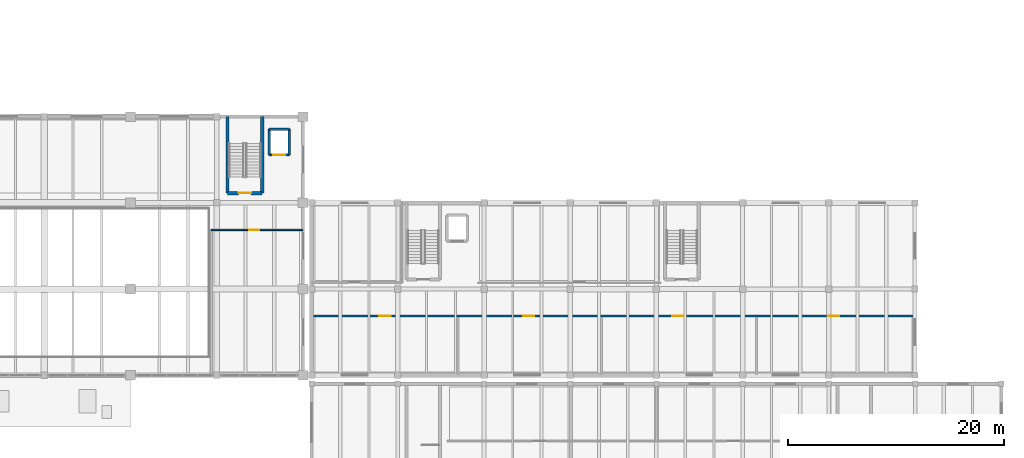
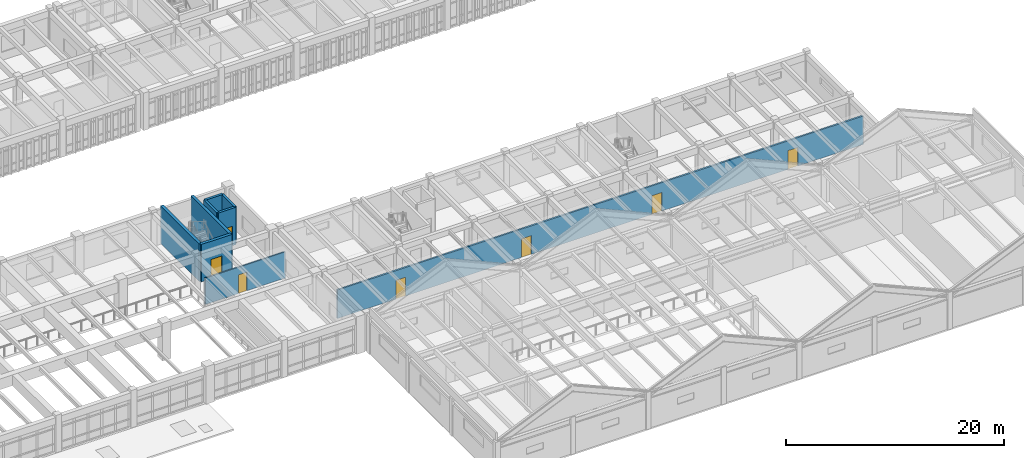
# One storey, part 45 of 67: 9 walls, 7 doors, 7 openings.
"""IFC4 building model written with IfcOpenShell, lengths in metres."""

from ifc_helpers import new_model, si_unit, direction, frame, frame_2d, origin, place, context, subcontext, project, spatial, rectangle, extrude, material, layer, layer_set, type_object, element, fill, save


model = new_model("IFC4")

# Units and contexts
model_context = context("Model", 3, precision=1e-05, world=origin(), true_north=direction((0.0, 1.0)))
body_context = subcontext(model_context, "Body", "Model", "MODEL_VIEW")
ifc_project = project(units=[si_unit("LENGTHUNIT", "METRE"), si_unit("AREAUNIT", "SQUARE_METRE"), si_unit("VOLUMEUNIT", "CUBIC_METRE"), si_unit("PLANEANGLEUNIT", "RADIAN"), si_unit("MASSUNIT", "GRAM", prefix="KILO")], contexts=[model_context])

# Site, building, storey
site_placement = place(None, origin())
site = spatial("IfcSite", under=ifc_project, at=site_placement, CompositionType="ELEMENT")
building_placement = place(site_placement, origin())
building = spatial("IfcBuilding", under=site, at=building_placement, Name="Tlaxcora Railside Police Headquarters", CompositionType="ELEMENT")
storey_placement = place(building_placement, frame((0.0, 0.0, 4.800048828125)))
storey = spatial("IfcBuildingStorey", under=building, at=storey_placement, Name="L01", CompositionType="ELEMENT", Elevation=4.800048828125)

# Wall, openings, doors
ifc_material_1 = material(Name="Gypsum acoustic partition board")
ifc_layer_1 = layer(ifc_material_1, 0.175048828125, Name="Gypsum acoustic partition board")
ifc_layer_set_1 = layer_set([ifc_layer_1], Name="Gypsum acoustic partition board")
wall_type_1 = type_object("IfcWallType", Name="Interior Partition Wall IW-22", PredefinedType="PARTITIONING", material=ifc_layer_set_1)
wall_1_placement = place(storey_placement, frame((102.8798828125, 41.5, 0.0), z_axis=(0.0, 0.0, 1.0), x_axis=(1.0, 0.0, 0.0)))
wall_1 = element("IfcWall", 1, at=wall_1_placement, inside=storey, type_object=wall_type_1, Name="V7 L01 interior partition 95", PredefinedType="PARTITIONING", context=body_context, shape_type="SweptSolid", body=[
    extrude(rectangle(XDim=55.840087890625, YDim=0.175048828125, at=frame_2d((27.919921875, 0.0))), origin(), (0.0, 0.0, 1.0), 3.195068359375),
])
opening_1_placement = place(wall_1_placement, frame((6.2099609375, 0.0, 0.0)))
opening_1 = element("IfcOpeningElement", 2, at=opening_1_placement, cuts=wall_1, Name="Opening D-L01-134", PredefinedType="OPENING", context=body_context, shape_type="SweptSolid", body=[
    extrude(rectangle(XDim=1.050048828125, YDim=2.10009765625, at=frame_2d((0.52490234375, 1.050048828125))), frame((0.0, 0.09765625, 0.0), z_axis=(0.0, -1.0, 0.0), x_axis=(1.0, 0.0, 0.0)), (0.0, 0.0, 1.0), 0.195068359375),
])
opening_2_placement = place(wall_1_placement, frame((19.5400390625, 0.0, 0.0)))
opening_2 = element("IfcOpeningElement", 3, at=opening_2_placement, cuts=wall_1, Name="Opening D-L01-135", PredefinedType="OPENING", context=body_context, shape_type="SweptSolid", body=[
    extrude(rectangle(XDim=1.050048828125, YDim=2.10009765625, at=frame_2d((0.52490234375, 1.050048828125))), frame((0.0, 0.09765625, 0.0), z_axis=(0.0, -1.0, 0.0), x_axis=(1.0, 0.0, 0.0)), (0.0, 0.0, 1.0), 0.195068359375),
])
opening_3_placement = place(wall_1_placement, frame((33.389892578125, 0.0, 0.0)))
opening_3 = element("IfcOpeningElement", 4, at=opening_3_placement, cuts=wall_1, Name="Opening D-L01-136", PredefinedType="OPENING", context=body_context, shape_type="SweptSolid", body=[
    extrude(rectangle(XDim=1.050048828125, YDim=2.10009765625, at=frame_2d((0.52490234375, 1.050048828125))), frame((0.0, 0.09765625, 0.0), z_axis=(0.0, -1.0, 0.0), x_axis=(1.0, 0.0, 0.0)), (0.0, 0.0, 1.0), 0.195068359375),
])
opening_4_placement = place(wall_1_placement, frame((47.840087890625, 0.0, 0.0)))
opening_4 = element("IfcOpeningElement", 5, at=opening_4_placement, cuts=wall_1, Name="Opening D-L01-137", PredefinedType="OPENING", context=body_context, shape_type="SweptSolid", body=[
    extrude(rectangle(XDim=1.050048828125, YDim=2.10009765625, at=frame_2d((0.52490234375, 1.050048828125))), frame((0.0, 0.09765625, 0.0), z_axis=(0.0, -1.0, 0.0), x_axis=(1.0, 0.0, 0.0)), (0.0, 0.0, 1.0), 0.195068359375),
])
ifc_material_2 = material(Name="Steel ASTM A992 Grade 50", Category="steel")
door_type_1 = type_object("IfcDoorType", Name="Swing or Sliding Personnel Door ID-52", OperationType="NOTDEFINED", PredefinedType="DOOR", material=ifc_material_2)
door_1_placement = place(opening_1_placement, origin())
door_1 = element("IfcDoor", 6, at=door_1_placement, inside=storey, type_object=door_type_1, Name="V7 L01 door D-L01-134", OperationType="SINGLE_SWING_LEFT", OverallHeight=2.10009765625, OverallWidth=1.050048828125, PredefinedType="DOOR", context=body_context, shape_type="SweptSolid", body=[
    extrude(rectangle(XDim=1.050048828125, YDim=2.10009765625, at=frame_2d((0.52490234375, 1.050048828125))), frame((0.0, 0.02490234375, 0.0), z_axis=(0.0, -1.0, 0.0), x_axis=(1.0, 0.0, 0.0)), (0.0, 0.0, 1.0), 0.050048828125),
])
fill(opening_1, door_1)
door_2_placement = place(opening_2_placement, origin())
door_2 = element("IfcDoor", 7, at=door_2_placement, inside=storey, type_object=door_type_1, Name="V7 L01 door D-L01-135", OperationType="SINGLE_SWING_RIGHT", OverallHeight=2.10009765625, OverallWidth=1.050048828125, PredefinedType="DOOR", context=body_context, shape_type="SweptSolid", body=[
    extrude(rectangle(XDim=1.050048828125, YDim=2.10009765625, at=frame_2d((0.52490234375, 1.050048828125))), frame((0.0, 0.02490234375, 0.0), z_axis=(0.0, -1.0, 0.0), x_axis=(1.0, 0.0, 0.0)), (0.0, 0.0, 1.0), 0.050048828125),
])
fill(opening_2, door_2)
door_3_placement = place(opening_3_placement, origin())
door_3 = element("IfcDoor", 8, at=door_3_placement, inside=storey, type_object=door_type_1, Name="V7 L01 door D-L01-136", OperationType="SINGLE_SWING_LEFT", OverallHeight=2.10009765625, OverallWidth=1.050048828125, PredefinedType="DOOR", context=body_context, shape_type="SweptSolid", body=[
    extrude(rectangle(XDim=1.050048828125, YDim=2.10009765625, at=frame_2d((0.52490234375, 1.050048828125))), frame((0.0, 0.02490234375, 0.0), z_axis=(0.0, -1.0, 0.0), x_axis=(1.0, 0.0, 0.0)), (0.0, 0.0, 1.0), 0.050048828125),
])
fill(opening_3, door_3)
door_4_placement = place(opening_4_placement, origin())
door_4 = element("IfcDoor", 9, at=door_4_placement, inside=storey, type_object=door_type_1, Name="V7 L01 door D-L01-137", OperationType="SINGLE_SWING_RIGHT", OverallHeight=2.10009765625, OverallWidth=1.050048828125, PredefinedType="DOOR", context=body_context, shape_type="SweptSolid", body=[
    extrude(rectangle(XDim=1.050048828125, YDim=2.10009765625, at=frame_2d((0.52490234375, 1.050048828125))), frame((0.0, 0.02490234375, 0.0), z_axis=(0.0, -1.0, 0.0), x_axis=(1.0, 0.0, 0.0)), (0.0, 0.0, 1.0), 0.050048828125),
])
fill(opening_4, door_4)

# Wall, opening, door
ifc_layer_2 = layer(ifc_material_1, 0.139892578125, Name="Gypsum acoustic partition board")
ifc_layer_set_2 = layer_set([ifc_layer_2], Name="Gypsum acoustic partition board")
wall_type_2 = type_object("IfcWallType", Name="Interior Partition Wall IW-86", PredefinedType="PARTITIONING", material=ifc_layer_set_2)
wall_2_placement = place(storey_placement, frame((93.5, 49.5, 0.0), z_axis=(0.0, 0.0, 1.0), x_axis=(1.0, 0.0, 0.0)))
wall_2 = element("IfcWall", 10, at=wall_2_placement, inside=storey, type_object=wall_type_2, Name="V1 L01 interior partition 85", PredefinedType="PARTITIONING", context=body_context, shape_type="SweptSolid", body=[
    extrude(rectangle(XDim=8.5, YDim=0.139892578125, at=frame_2d((4.25, 0.0))), origin(), (0.0, 0.0, 1.0), 2.945068359375),
])
opening_5_placement = place(wall_2_placement, frame((3.5, 0.0, 0.0)))
opening_5 = element("IfcOpeningElement", 11, at=opening_5_placement, cuts=wall_2, Name="Opening D-L01-128", PredefinedType="OPENING", context=body_context, shape_type="SweptSolid", body=[
    extrude(rectangle(XDim=0.919921875, YDim=2.10009765625, at=frame_2d((0.4599609375, 1.050048828125))), frame((0.0, 0.080078125, 0.0), z_axis=(0.0, -1.0, 0.0), x_axis=(1.0, 0.0, 0.0)), (0.0, 0.0, 1.0), 0.159912109375),
])
door_type_2 = type_object("IfcDoorType", Name="Swing or Sliding Personnel Door ID-49", OperationType="NOTDEFINED", PredefinedType="DOOR", material=ifc_material_2)
door_5_placement = place(opening_5_placement, origin())
door_5 = element("IfcDoor", 12, at=door_5_placement, inside=storey, type_object=door_type_2, Name="V1 L01 door D-L01-128", OperationType="SINGLE_SWING_LEFT", OverallHeight=2.10009765625, OverallWidth=0.919921875, PredefinedType="DOOR", context=body_context, shape_type="SweptSolid", body=[
    extrude(rectangle(XDim=0.919921875, YDim=2.10009765625, at=frame_2d((0.4599609375, 1.050048828125))), frame((0.0, 0.02490234375, 0.0), z_axis=(0.0, -1.0, 0.0), x_axis=(1.0, 0.0, 0.0)), (0.0, 0.0, 1.0), 0.050048828125),
])
fill(opening_5, door_5)

ifc_material_3 = material(Name="Concrete C40/50", Category="concrete")
ifc_layer_3 = layer(ifc_material_3, 0.25, Name="Concrete C40/50")
ifc_layer_set_3 = layer_set([ifc_layer_3], Name="Concrete C40/50")
wall_type_3 = type_object("IfcWallType", Name="Shear Core Wall IW-13", PredefinedType="SHEAR", material=ifc_layer_set_3)
wall_3_placement = place(storey_placement, frame((98.860107421875, 56.4599609375, 0.0), z_axis=(0.0, 0.0, 1.0), x_axis=(1.0, 0.0, 0.0)))
wall_3 = element("IfcWall", 13, at=wall_3_placement, inside=storey, type_object=wall_type_3, Name="Lift PL-05 L01 shaft wall S", PredefinedType="SHEAR", context=body_context, shape_type="SweptSolid", body=[
    extrude(rectangle(XDim=1.8798828125, YDim=0.25, at=frame_2d((0.93994140625, 0.0))), origin(), (0.0, 0.0, 1.0), 4.199951171875),
])
opening_6_placement = place(wall_3_placement, frame((0.389892578125, 0.0, 0.0)))
opening_6 = element("IfcOpeningElement", 14, at=opening_6_placement, cuts=wall_3, Name="Opening LD-PL-05-L01", PredefinedType="OPENING", context=body_context, shape_type="SweptSolid", body=[
    extrude(rectangle(XDim=1.10009765625, YDim=2.199951171875, at=frame_2d((0.550048828125, 1.10009765625))), frame((0.0, 0.135009765625, 0.0), z_axis=(0.0, -1.0, 0.0), x_axis=(1.0, 0.0, 0.0)), (0.0, 0.0, 1.0), 0.27001953125),
])
door_type_3 = type_object("IfcDoorType", Name="Swing or Sliding Personnel Door ID-15", OperationType="NOTDEFINED", PredefinedType="DOOR", material=ifc_material_2)
door_6_placement = place(opening_6_placement, origin())
door_6 = element("IfcDoor", 15, at=door_6_placement, inside=storey, type_object=door_type_3, Name="Lift PL-05 L01 sliding landing door", OperationType="DOUBLE_DOOR_SLIDING", OverallHeight=2.199951171875, OverallWidth=1.10009765625, PredefinedType="DOOR", context=body_context, shape_type="SweptSolid", body=[
    extrude(rectangle(XDim=1.10009765625, YDim=2.199951171875, at=frame_2d((0.550048828125, 1.10009765625))), frame((0.0, 0.02490234375, 0.0), z_axis=(0.0, -1.0, 0.0), x_axis=(1.0, 0.0, 0.0)), (0.0, 0.0, 1.0), 0.050048828125),
])
fill(opening_6, door_6)

# Walls
wall_4_placement = place(storey_placement, frame((100.739990234375, 56.4599609375, 0.0), z_axis=(0.0, 0.0, 1.0), x_axis=(0.0, 1.0, 0.0)))
element("IfcWall", 16, at=wall_4_placement, inside=storey, type_object=wall_type_3, Name="Lift PL-05 L01 shaft wall E", PredefinedType="SHEAR", context=body_context, shape_type="SweptSolid", body=[
    extrude(rectangle(XDim=2.380126953125, YDim=0.25, at=frame_2d((1.18994140625, 0.0))), origin(), (0.0, 0.0, 1.0), 4.199951171875),
])
wall_5_placement = place(storey_placement, frame((100.739990234375, 58.840087890625, 0.0), z_axis=(0.0, 0.0, 1.0), x_axis=(-1.0, 0.0, 0.0)))
element("IfcWall", 17, at=wall_5_placement, inside=storey, type_object=wall_type_3, Name="Lift PL-05 L01 shaft wall N", PredefinedType="SHEAR", context=body_context, shape_type="SweptSolid", body=[
    extrude(rectangle(XDim=1.8798828125, YDim=0.25, at=frame_2d((0.93994140625, 0.0))), origin(), (0.0, 0.0, 1.0), 4.199951171875),
])
wall_6_placement = place(storey_placement, frame((98.860107421875, 58.840087890625, 0.0), z_axis=(0.0, 0.0, 1.0), x_axis=(0.0, -1.0, 0.0)))
element("IfcWall", 18, at=wall_6_placement, inside=storey, type_object=wall_type_3, Name="Lift PL-05 L01 shaft wall W", PredefinedType="SHEAR", context=body_context, shape_type="SweptSolid", body=[
    extrude(rectangle(XDim=2.380126953125, YDim=0.25, at=frame_2d((1.18994140625, 0.0))), origin(), (0.0, 0.0, 1.0), 4.199951171875),
])

# Wall, opening, door
ifc_layer_4 = layer(ifc_material_3, 0.300048828125, Name="Concrete C40/50")
ifc_layer_set_4 = layer_set([ifc_layer_4], Name="Concrete C40/50")
wall_type_4 = type_object("IfcWallType", Name="Shear Core Wall IW-28", PredefinedType="SHEAR", material=ifc_layer_set_4)
wall_7_placement = place(storey_placement, frame((95.0, 52.89990234375, 0.0), z_axis=(0.0, 0.0, 1.0), x_axis=(1.0, 0.0, 0.0)))
wall_7 = element("IfcWall", 19, at=wall_7_placement, inside=storey, type_object=wall_type_4, Name="CORE-C5 L01 stair core wall S", PredefinedType="SHEAR", context=body_context, shape_type="SweptSolid", body=[
    extrude(rectangle(XDim=3.219970703125, YDim=0.300048828125, at=frame_2d((1.60986328125, 0.0))), origin(), (0.0, 0.0, 1.0), 4.199951171875),
])
opening_7_placement = place(wall_7_placement, frame((1.034912109375, 0.0, 0.0)))
opening_7 = element("IfcOpeningElement", 20, at=opening_7_placement, cuts=wall_7, Name="Opening SD-L01-038", PredefinedType="OPENING", context=body_context, shape_type="SweptSolid", body=[
    extrude(rectangle(XDim=1.14990234375, YDim=2.14990234375, at=frame_2d((0.574951171875, 1.074951171875))), frame((0.0, 0.16015625, 0.0), z_axis=(0.0, -1.0, 0.0), x_axis=(1.0, 0.0, 0.0)), (0.0, 0.0, 1.0), 0.320068359375),
])
door_type_4 = type_object("IfcDoorType", Name="Swing or Sliding Personnel Door ID-73", OperationType="NOTDEFINED", PredefinedType="DOOR", material=ifc_material_2)
door_7_placement = place(opening_7_placement, origin())
door_7 = element("IfcDoor", 21, at=door_7_placement, inside=storey, type_object=door_type_4, Name="Stair ST9 L01 enclosure fire door", OperationType="SINGLE_SWING_RIGHT", OverallHeight=2.14990234375, OverallWidth=1.14990234375, PredefinedType="DOOR", context=body_context, shape_type="SweptSolid", body=[
    extrude(rectangle(XDim=1.14990234375, YDim=2.14990234375, at=frame_2d((0.574951171875, 1.074951171875))), frame((0.0, 0.02490234375, 0.0), z_axis=(0.0, -1.0, 0.0), x_axis=(1.0, 0.0, 0.0)), (0.0, 0.0, 1.0), 0.050048828125),
])
fill(opening_7, door_7)

# Walls
for number, where, z_axis, x_axis, name in (
    (22, (98.219970703125, 52.89990234375, 0.0), (0.0, 0.0, 1.0), (0.0, 1.0, 0.0), "CORE-C5 L01 stair core wall E"),
    (23, (95.0, 60.0, 0.0), (0.0, 0.0, 1.0), (0.0, -1.0, 0.0), "CORE-C5 L01 stair core wall W"),
):
    element("IfcWall", number, at=place(storey_placement, frame(where, z_axis=z_axis, x_axis=x_axis)), inside=storey, type_object=wall_type_4, Name=name, PredefinedType="SHEAR", context=body_context, shape_type="SweptSolid", body=[
        extrude(rectangle(XDim=7.10009765625, YDim=0.300048828125, at=frame_2d((3.550048828125, 0.0))), origin(), (0.0, 0.0, 1.0), 4.199951171875),
    ])

save(model, "model.ifc")
